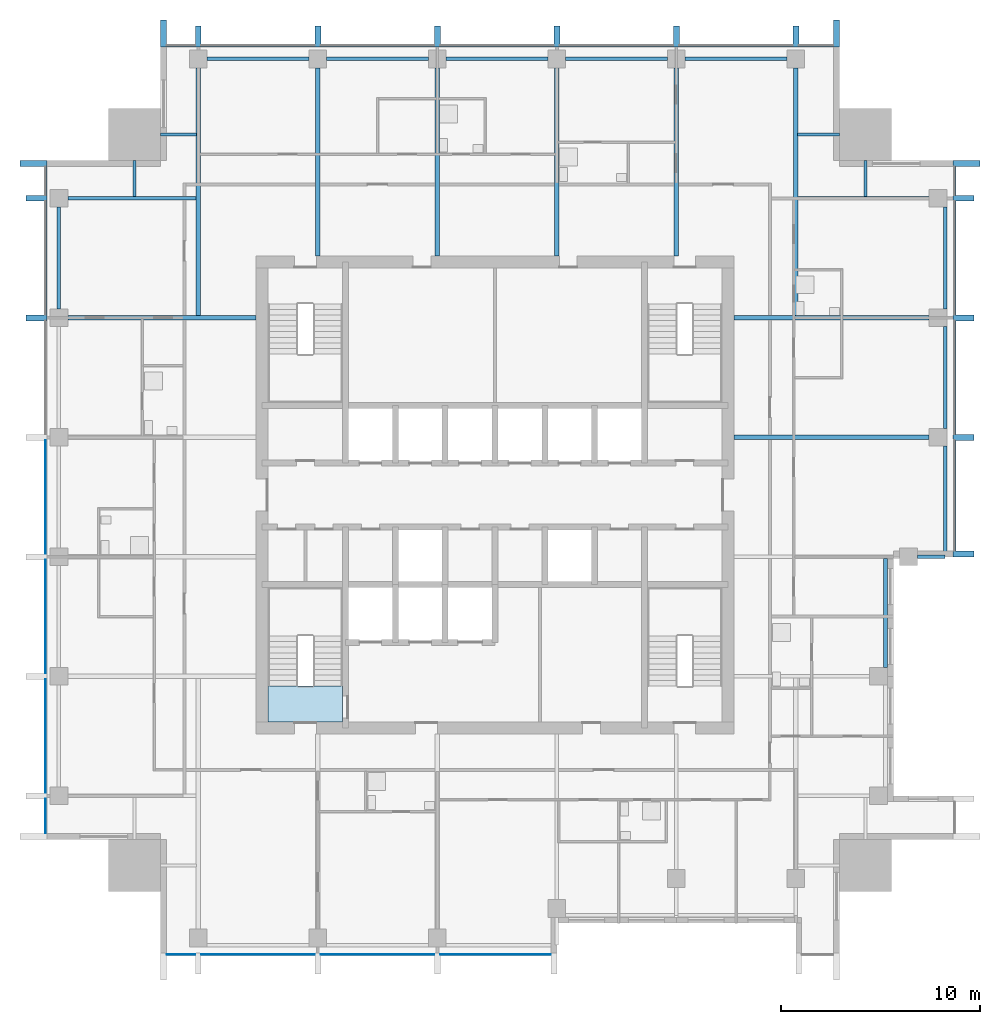
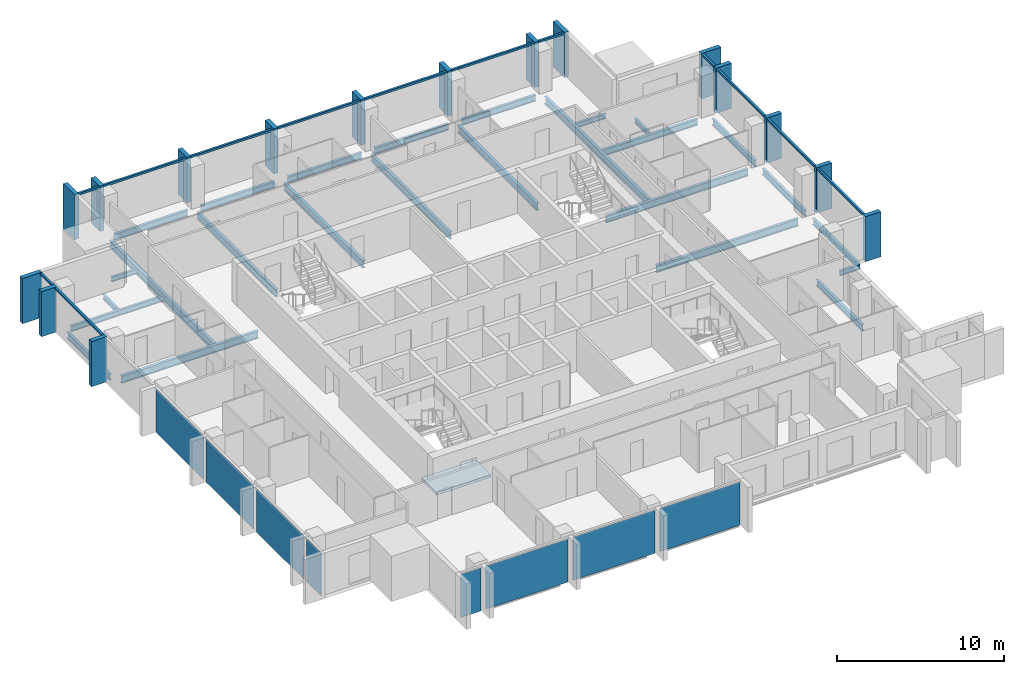
# One storey, part 2 of 10: 29 members, 26 beams, 8 plates, 1 slab, 5 elements without a shape of their own.
"""IFC4 building model written with IfcOpenShell, lengths in metres."""

from ifc_helpers import new_model, si_unit, direction, frame, origin, origin_2d, place, context, subcontext, project, spatial, polyline, rectangle, i_section, outline, extrude, material, layer, layer_set, material_profile, profile_set, type_object, element, aggregate, save


model = new_model("IFC4")

# Units and contexts
model_context = context("Model", 3, precision=1e-05, world=origin(), true_north=direction((0.0, 1.0)))
body_context = subcontext(model_context, "Body", "Model", "MODEL_VIEW")
ifc_project = project(units=[si_unit("LENGTHUNIT", "METRE"), si_unit("AREAUNIT", "SQUARE_METRE"), si_unit("VOLUMEUNIT", "CUBIC_METRE"), si_unit("PLANEANGLEUNIT", "RADIAN"), si_unit("MASSUNIT", "GRAM", prefix="KILO")], contexts=[model_context])

# Site, building, storey
site_placement = place(None, origin())
site = spatial("IfcSite", under=ifc_project, at=site_placement, CompositionType="ELEMENT")
building_placement = place(site_placement, origin())
building = spatial("IfcBuilding", under=site, at=building_placement, Name="Amberfall Residences", CompositionType="ELEMENT")
storey_placement = place(building_placement, frame((0.0, 0.0, 213.39990234375)))
storey = spatial("IfcBuildingStorey", under=building, at=storey_placement, Name="L57", CompositionType="ELEMENT", Elevation=213.39990234375)

# Curtain wall, members
ifc_material_1 = material(Name="Bronze anodised aluminium and glass", Category="aluminium")
curtain_wall_type = type_object("IfcCurtainWallType", Name="Curtain wall CW1 tower unit", PredefinedType="USERDEFINED", material=ifc_material_1)
curtain_wall_1_placement = place(storey_placement, origin())
curtain_wall_1 = element("IfcCurtainWall", 1, at=curtain_wall_1_placement, inside=storey, type_object=curtain_wall_type, Name="Curtain wall L57 E E6", ObjectType="UNITISED CURTAIN WALL", PredefinedType="USERDEFINED")
ifc_material_2 = material(Name="Bronze anodised aluminium", Category="aluminium")
ifc_material_profile_1 = material_profile(ifc_material_2, rectangle(XDim=0.14990234375, YDim=0.14990234375, at=origin_2d()), Name="CW1 transom 150 x 150 bronze")
ifc_profile_set_1 = profile_set([ifc_material_profile_1], Name="Bronze anodised aluminium")
member_type_1 = type_object("IfcMemberType", Name="CW1 transom 150 x 150 bronze", PredefinedType="USERDEFINED", material=ifc_profile_set_1)
member_1_placement = place(storey_placement, frame((97.574951171875, 42.699951171875, 2.97509765625), z_axis=(0.0, 1.0, 0.0), x_axis=(-1.0, 0.0, 0.0)))
member_1 = element("IfcMember", 2, at=member_1_placement, type_object=member_type_1, Name="CW1 transom 1.1", ObjectType="TRANSOM", PredefinedType="USERDEFINED", context=body_context, shape_type="SweptSolid", body=[
    extrude(rectangle(XDim=0.14990234375, YDim=0.14990234375, at=origin_2d()), origin(), (0.0, 0.0, 1.0), 5.550048828125),
])
member_2_placement = place(storey_placement, frame((97.574951171875, 48.550048828125, 2.97509765625), z_axis=(0.0, 1.0, 0.0), x_axis=(-1.0, 0.0, 0.0)))
member_2 = element("IfcMember", 3, at=member_2_placement, type_object=member_type_1, Name="CW1 transom 2.1", ObjectType="TRANSOM", PredefinedType="USERDEFINED", context=body_context, shape_type="SweptSolid", body=[
    extrude(rectangle(XDim=0.14990234375, YDim=0.14990234375, at=origin_2d()), origin(), (0.0, 0.0, 1.0), 5.699951171875),
])
member_3_placement = place(storey_placement, frame((97.574951171875, 54.550048828125, 2.97509765625), z_axis=(0.0, 1.0, 0.0), x_axis=(-1.0, 0.0, 0.0)))
member_3 = element("IfcMember", 4, at=member_3_placement, type_object=member_type_1, Name="CW1 transom 3.1", ObjectType="TRANSOM", PredefinedType="USERDEFINED", context=body_context, shape_type="SweptSolid", body=[
    extrude(rectangle(XDim=0.14990234375, YDim=0.14990234375, at=origin_2d()), origin(), (0.0, 0.0, 1.0), 5.699951171875),
])
member_4_placement = place(storey_placement, frame((97.574951171875, 60.550048828125, 2.97509765625), z_axis=(0.0, 1.0, 0.0), x_axis=(-1.0, 0.0, 0.0)))
member_4 = element("IfcMember", 5, at=member_4_placement, type_object=member_type_1, Name="CW1 transom 4.1", ObjectType="TRANSOM", PredefinedType="USERDEFINED", context=body_context, shape_type="SweptSolid", body=[
    extrude(rectangle(XDim=0.14990234375, YDim=0.14990234375, at=origin_2d()), origin(), (0.0, 0.0, 1.0), 1.449951171875),
])

curtain_wall_2_placement = place(storey_placement, origin())
curtain_wall_2 = element("IfcCurtainWall", 6, at=curtain_wall_2_placement, inside=storey, type_object=curtain_wall_type, Name="Curtain wall L57 N N1", ObjectType="UNITISED CURTAIN WALL", PredefinedType="USERDEFINED")
member_5_placement = place(storey_placement, frame((91.5, 68.074951171875, 2.97509765625), z_axis=(-1.0, 0.0, 0.0), x_axis=(0.0, -1.0, 0.0)))
member_5 = element("IfcMember", 7, at=member_5_placement, type_object=member_type_1, Name="CW1 transom 1.1", ObjectType="TRANSOM", PredefinedType="USERDEFINED", context=body_context, shape_type="SweptSolid", body=[
    extrude(rectangle(XDim=0.14990234375, YDim=0.14990234375, at=origin_2d()), origin(), (0.0, 0.0, 1.0), 1.75),
])
member_6_placement = place(storey_placement, frame((89.449951171875, 68.074951171875, 2.97509765625), z_axis=(-1.0, 0.0, 0.0), x_axis=(0.0, -1.0, 0.0)))
member_6 = element("IfcMember", 8, at=member_6_placement, type_object=member_type_1, Name="CW1 transom 2.1", ObjectType="TRANSOM", PredefinedType="USERDEFINED", context=body_context, shape_type="SweptSolid", body=[
    extrude(rectangle(XDim=0.14990234375, YDim=0.14990234375, at=origin_2d()), origin(), (0.0, 0.0, 1.0), 5.699951171875),
])
member_7_placement = place(storey_placement, frame((83.449951171875, 68.074951171875, 2.97509765625), z_axis=(-1.0, 0.0, 0.0), x_axis=(0.0, -1.0, 0.0)))
member_7 = element("IfcMember", 9, at=member_7_placement, type_object=member_type_1, Name="CW1 transom 3.1", ObjectType="TRANSOM", PredefinedType="USERDEFINED", context=body_context, shape_type="SweptSolid", body=[
    extrude(rectangle(XDim=0.14990234375, YDim=0.14990234375, at=origin_2d()), origin(), (0.0, 0.0, 1.0), 5.699951171875),
])
member_8_placement = place(storey_placement, frame((77.449951171875, 68.074951171875, 2.97509765625), z_axis=(-1.0, 0.0, 0.0), x_axis=(0.0, -1.0, 0.0)))
member_8 = element("IfcMember", 10, at=member_8_placement, type_object=member_type_1, Name="CW1 transom 4.1", ObjectType="TRANSOM", PredefinedType="USERDEFINED", context=body_context, shape_type="SweptSolid", body=[
    extrude(rectangle(XDim=0.14990234375, YDim=0.14990234375, at=origin_2d()), origin(), (0.0, 0.0, 1.0), 5.699951171875),
])
member_9_placement = place(storey_placement, frame((71.449951171875, 68.074951171875, 2.97509765625), z_axis=(-1.0, 0.0, 0.0), x_axis=(0.0, -1.0, 0.0)))
member_9 = element("IfcMember", 11, at=member_9_placement, type_object=member_type_1, Name="CW1 transom 5.1", ObjectType="TRANSOM", PredefinedType="USERDEFINED", context=body_context, shape_type="SweptSolid", body=[
    extrude(rectangle(XDim=0.14990234375, YDim=0.14990234375, at=origin_2d()), origin(), (0.0, 0.0, 1.0), 5.699951171875),
])
member_10_placement = place(storey_placement, frame((65.449951171875, 68.074951171875, 2.97509765625), z_axis=(-1.0, 0.0, 0.0), x_axis=(0.0, -1.0, 0.0)))
member_10 = element("IfcMember", 12, at=member_10_placement, type_object=member_type_1, Name="CW1 transom 6.1", ObjectType="TRANSOM", PredefinedType="USERDEFINED", context=body_context, shape_type="SweptSolid", body=[
    extrude(rectangle(XDim=0.14990234375, YDim=0.14990234375, at=origin_2d()), origin(), (0.0, 0.0, 1.0), 5.699951171875),
])
member_11_placement = place(storey_placement, frame((59.449951171875, 68.074951171875, 2.97509765625), z_axis=(-1.0, 0.0, 0.0), x_axis=(0.0, -1.0, 0.0)))
member_11 = element("IfcMember", 13, at=member_11_placement, type_object=member_type_1, Name="CW1 transom 7.1", ObjectType="TRANSOM", PredefinedType="USERDEFINED", context=body_context, shape_type="SweptSolid", body=[
    extrude(rectangle(XDim=0.14990234375, YDim=0.14990234375, at=origin_2d()), origin(), (0.0, 0.0, 1.0), 1.449951171875),
])

curtain_wall_3_placement = place(storey_placement, origin())
curtain_wall_3 = element("IfcCurtainWall", 14, at=curtain_wall_3_placement, inside=storey, type_object=curtain_wall_type, Name="Curtain wall L57 W W1", ObjectType="UNITISED CURTAIN WALL", PredefinedType="USERDEFINED")
member_12_placement = place(storey_placement, frame((51.925048828125, 62.0, 2.97509765625), z_axis=(0.0, -1.0, 0.0), x_axis=(1.0, 0.0, 0.0)))
member_12 = element("IfcMember", 15, at=member_12_placement, type_object=member_type_1, Name="CW1 transom 1.1", ObjectType="TRANSOM", PredefinedType="USERDEFINED", context=body_context, shape_type="SweptSolid", body=[
    extrude(rectangle(XDim=0.14990234375, YDim=0.14990234375, at=origin_2d()), origin(), (0.0, 0.0, 1.0), 1.449951171875),
])
member_13_placement = place(storey_placement, frame((51.925048828125, 60.25, 2.97509765625), z_axis=(0.0, -1.0, 0.0), x_axis=(1.0, 0.0, 0.0)))
member_13 = element("IfcMember", 16, at=member_13_placement, type_object=member_type_1, Name="CW1 transom 2.1", ObjectType="TRANSOM", PredefinedType="USERDEFINED", context=body_context, shape_type="SweptSolid", body=[
    extrude(rectangle(XDim=0.14990234375, YDim=0.14990234375, at=origin_2d()), origin(), (0.0, 0.0, 1.0), 5.699951171875),
])

# Beam
ifc_material_3 = material(Name="Steel S355", Category="steel")
ifc_material_profile_2 = material_profile(ifc_material_3, i_section(OverallWidth=0.171142578125, OverallDepth=0.351318359375, WebThickness=0.007080078125, FlangeThickness=0.009765625, FilletRadius=0.01025390625, at=origin_2d()), Name="UB 356x171x45")
ifc_profile_set_2 = profile_set([ifc_material_profile_2], Name="Steel S355")
beam_type_1 = type_object("IfcBeamType", Name="Cantilever girder UB 356x171x45", PredefinedType="BEAM", material=ifc_profile_set_2)
beam_1_placement = place(storey_placement, frame((95.699951171875, 42.39990234375, -0.425537109375), z_axis=(1.0, 0.0, 0.0), x_axis=(0.0, 1.0, 0.0)))
element("IfcBeam", 17, at=beam_1_placement, inside=storey, type_object=beam_type_1, Name="Cantilever girder B8 L57 20", PredefinedType="BEAM", context=body_context, shape_type="SweptSolid", body=[
    extrude(i_section(OverallWidth=0.171142578125, OverallDepth=0.351318359375, WebThickness=0.007080078125, FlangeThickness=0.009765625, FilletRadius=0.01025390625, at=origin_2d()), origin(), (0.0, 0.0, 1.0), 1.400146484375),
])

# Member
ifc_material_profile_3 = material_profile(ifc_material_2, rectangle(XDim=1.35009765625, YDim=0.300048828125, at=origin_2d()), Name="Corner fin 300 x 1350 bronze")
ifc_profile_set_3 = profile_set([ifc_material_profile_3], Name="Bronze anodised aluminium")
member_type_2 = type_object("IfcMemberType", Name="Corner fin 300 x 1350 bronze", PredefinedType="MULLION", material=ifc_profile_set_3)
member_14_placement = place(storey_placement, frame((98.175048828125, 62.14990234375, -0.25), z_axis=(0.0, 0.0, 1.0), x_axis=(-1.0, 0.0, 0.0)))
member_14 = element("IfcMember", 18, at=member_14_placement, type_object=member_type_2, Name="CW FIN 5", PredefinedType="MULLION", context=body_context, shape_type="SweptSolid", body=[
    extrude(rectangle(XDim=1.35009765625, YDim=0.300048828125, at=origin_2d()), origin(), (0.0, 0.0, 1.0), 3.300048828125),
])

member_15_placement = place(storey_placement, frame((91.64990234375, 68.675048828125, -0.25), z_axis=(0.0, 0.0, 1.0), x_axis=(0.0, -1.0, 0.0)))
member_15 = element("IfcMember", 19, at=member_15_placement, type_object=member_type_2, Name="CW FIN 1", PredefinedType="MULLION", context=body_context, shape_type="SweptSolid", body=[
    extrude(rectangle(XDim=1.35009765625, YDim=0.300048828125, at=origin_2d()), origin(), (0.0, 0.0, 1.0), 3.300048828125),
])

member_16_placement = place(storey_placement, frame((57.85009765625, 68.675048828125, -0.25), z_axis=(0.0, 0.0, 1.0), x_axis=(0.0, -1.0, 0.0)))
member_16 = element("IfcMember", 20, at=member_16_placement, type_object=member_type_2, Name="CW FIN 8", PredefinedType="MULLION", context=body_context, shape_type="SweptSolid", body=[
    extrude(rectangle(XDim=1.35009765625, YDim=0.300048828125, at=origin_2d()), origin(), (0.0, 0.0, 1.0), 3.300048828125),
])

member_17_placement = place(storey_placement, frame((51.324951171875, 62.14990234375, -0.25), z_axis=(0.0, 0.0, 1.0), x_axis=(1.0, 0.0, 0.0)))
member_17 = element("IfcMember", 21, at=member_17_placement, type_object=member_type_2, Name="CW FIN 1", PredefinedType="MULLION", context=body_context, shape_type="SweptSolid", body=[
    extrude(rectangle(XDim=1.35009765625, YDim=0.300048828125, at=origin_2d()), origin(), (0.0, 0.0, 1.0), 3.300048828125),
])

# Beams
ifc_material_profile_4 = material_profile(ifc_material_3, i_section(OverallWidth=0.18994140625, OverallDepth=0.453369140625, WebThickness=0.008544921875, FlangeThickness=0.0126953125, FilletRadius=0.01025390625, at=origin_2d()), Name="UB 457x191x67")
ifc_profile_set_4 = profile_set([ifc_material_profile_4], Name="Steel S355")
beam_type_2 = type_object("IfcBeamType", Name="Edge beam UB 457x191x67", PredefinedType="SPANDREL", material=ifc_profile_set_4)
for number, where, z_axis, x_axis, name in (
    (22, (94.10009765625, 36.85009765625, -0.4765625), (0.0, 1.0, 0.0), (-1.0, 0.0, 0.0), "Edge beam B1 L57 16"),
    (23, (97.10009765625, 42.47998046875, -0.4765625), (0.0, 1.0, 0.0), (-1.0, 0.0, 0.0), "Edge beam B1 L57 17"),
):
    element("IfcBeam", number, at=place(storey_placement, frame(where, z_axis=z_axis, x_axis=x_axis)), inside=storey, type_object=beam_type_2, Name=name, PredefinedType="SPANDREL", context=body_context, shape_type="SweptSolid", body=[
        extrude(i_section(OverallWidth=0.18994140625, OverallDepth=0.453369140625, WebThickness=0.008544921875, FlangeThickness=0.0126953125, FilletRadius=0.01025390625, at=origin_2d()), origin(), (0.0, 0.0, 1.0), 5.469970703125),
    ])
for number, where, z_axis, x_axis, name in (
    (24, (97.10009765625, 48.85009765625, -0.4765625), (0.0, 1.0, 0.0), (-1.0, 0.0, 0.0), "Edge beam B1 L57 18"),
    (25, (97.10009765625, 54.85009765625, -0.4765625), (0.0, 1.0, 0.0), (-1.0, 0.0, 0.0), "Edge beam B1 L57 19"),
    (26, (60.050048828125, 67.39990234375, -0.4765625), (1.0, 0.0, 0.0), (0.0, 1.0, 0.0), "Edge beam B1 L57 27"),
    (27, (66.050048828125, 67.39990234375, -0.4765625), (1.0, 0.0, 0.0), (0.0, 1.0, 0.0), "Edge beam B1 L57 28"),
    (28, (72.050048828125, 67.39990234375, -0.4765625), (1.0, 0.0, 0.0), (0.0, 1.0, 0.0), "Edge beam B1 L57 29"),
    (29, (78.050048828125, 67.39990234375, -0.4765625), (1.0, 0.0, 0.0), (0.0, 1.0, 0.0), "Edge beam B1 L57 30"),
    (30, (84.050048828125, 67.39990234375, -0.4765625), (1.0, 0.0, 0.0), (0.0, 1.0, 0.0), "Edge beam B1 L57 31"),
    (31, (52.60009765625, 54.85009765625, -0.4765625), (0.0, 1.0, 0.0), (-1.0, 0.0, 0.0), "Edge beam B1 L57 42"),
):
    element("IfcBeam", number, at=place(storey_placement, frame(where, z_axis=z_axis, x_axis=x_axis)), inside=storey, type_object=beam_type_2, Name=name, PredefinedType="SPANDREL", context=body_context, shape_type="SweptSolid", body=[
        extrude(i_section(OverallWidth=0.18994140625, OverallDepth=0.453369140625, WebThickness=0.008544921875, FlangeThickness=0.0126953125, FilletRadius=0.01025390625, at=origin_2d()), origin(), (0.0, 0.0, 1.0), 5.099853515625),
    ])

# Member
ifc_material_profile_5 = material_profile(ifc_material_2, rectangle(XDim=1.050048828125, YDim=0.300048828125, at=origin_2d()), Name="Fin 300 x 1050 bronze")
ifc_profile_set_5 = profile_set([ifc_material_profile_5], Name="Bronze anodised aluminium")
member_type_3 = type_object("IfcMemberType", Name="Fin 300 x 1050 bronze", PredefinedType="MULLION", material=ifc_profile_set_5)
member_18_placement = place(storey_placement, frame((98.02490234375, 42.550048828125, -0.25), z_axis=(0.0, 0.0, 1.0), x_axis=(-1.0, 0.0, 0.0)))
member_18 = element("IfcMember", 32, at=member_18_placement, type_object=member_type_3, Name="CW FIN 1", PredefinedType="MULLION", context=body_context, shape_type="SweptSolid", body=[
    extrude(rectangle(XDim=1.050048828125, YDim=0.300048828125, at=origin_2d()), origin(), (0.0, 0.0, 1.0), 3.300048828125),
])

member_19_placement = place(storey_placement, frame((98.02490234375, 48.39990234375, -0.25), z_axis=(0.0, 0.0, 1.0), x_axis=(-1.0, 0.0, 0.0)))
member_19 = element("IfcMember", 33, at=member_19_placement, type_object=member_type_3, Name="CW FIN 2", PredefinedType="MULLION", context=body_context, shape_type="SweptSolid", body=[
    extrude(rectangle(XDim=1.050048828125, YDim=0.300048828125, at=origin_2d()), origin(), (0.0, 0.0, 1.0), 3.300048828125),
])

member_20_placement = place(storey_placement, frame((98.02490234375, 54.39990234375, -0.25), z_axis=(0.0, 0.0, 1.0), x_axis=(-1.0, 0.0, 0.0)))
member_20 = element("IfcMember", 34, at=member_20_placement, type_object=member_type_3, Name="CW FIN 3", PredefinedType="MULLION", context=body_context, shape_type="SweptSolid", body=[
    extrude(rectangle(XDim=1.050048828125, YDim=0.300048828125, at=origin_2d()), origin(), (0.0, 0.0, 1.0), 3.300048828125),
])

member_21_placement = place(storey_placement, frame((98.02490234375, 60.39990234375, -0.25), z_axis=(0.0, 0.0, 1.0), x_axis=(-1.0, 0.0, 0.0)))
member_21 = element("IfcMember", 35, at=member_21_placement, type_object=member_type_3, Name="CW FIN 4", PredefinedType="MULLION", context=body_context, shape_type="SweptSolid", body=[
    extrude(rectangle(XDim=1.050048828125, YDim=0.300048828125, at=origin_2d()), origin(), (0.0, 0.0, 1.0), 3.300048828125),
])

aggregate(curtain_wall_1, [member_18, member_19, member_20, member_21, member_14, member_1, member_2, member_3, member_4])

member_22_placement = place(storey_placement, frame((89.60009765625, 68.52490234375, -0.25), z_axis=(0.0, 0.0, 1.0), x_axis=(0.0, -1.0, 0.0)))
member_22 = element("IfcMember", 36, at=member_22_placement, type_object=member_type_3, Name="CW FIN 2", PredefinedType="MULLION", context=body_context, shape_type="SweptSolid", body=[
    extrude(rectangle(XDim=1.050048828125, YDim=0.300048828125, at=origin_2d()), origin(), (0.0, 0.0, 1.0), 3.300048828125),
])

member_23_placement = place(storey_placement, frame((83.60009765625, 68.52490234375, -0.25), z_axis=(0.0, 0.0, 1.0), x_axis=(0.0, -1.0, 0.0)))
member_23 = element("IfcMember", 37, at=member_23_placement, type_object=member_type_3, Name="CW FIN 3", PredefinedType="MULLION", context=body_context, shape_type="SweptSolid", body=[
    extrude(rectangle(XDim=1.050048828125, YDim=0.300048828125, at=origin_2d()), origin(), (0.0, 0.0, 1.0), 3.300048828125),
])

member_24_placement = place(storey_placement, frame((77.60009765625, 68.52490234375, -0.25), z_axis=(0.0, 0.0, 1.0), x_axis=(0.0, -1.0, 0.0)))
member_24 = element("IfcMember", 38, at=member_24_placement, type_object=member_type_3, Name="CW FIN 4", PredefinedType="MULLION", context=body_context, shape_type="SweptSolid", body=[
    extrude(rectangle(XDim=1.050048828125, YDim=0.300048828125, at=origin_2d()), origin(), (0.0, 0.0, 1.0), 3.300048828125),
])

member_25_placement = place(storey_placement, frame((71.60009765625, 68.52490234375, -0.25), z_axis=(0.0, 0.0, 1.0), x_axis=(0.0, -1.0, 0.0)))
member_25 = element("IfcMember", 39, at=member_25_placement, type_object=member_type_3, Name="CW FIN 5", PredefinedType="MULLION", context=body_context, shape_type="SweptSolid", body=[
    extrude(rectangle(XDim=1.050048828125, YDim=0.300048828125, at=origin_2d()), origin(), (0.0, 0.0, 1.0), 3.300048828125),
])

member_26_placement = place(storey_placement, frame((65.60009765625, 68.52490234375, -0.25), z_axis=(0.0, 0.0, 1.0), x_axis=(0.0, -1.0, 0.0)))
member_26 = element("IfcMember", 40, at=member_26_placement, type_object=member_type_3, Name="CW FIN 6", PredefinedType="MULLION", context=body_context, shape_type="SweptSolid", body=[
    extrude(rectangle(XDim=1.050048828125, YDim=0.300048828125, at=origin_2d()), origin(), (0.0, 0.0, 1.0), 3.300048828125),
])

member_27_placement = place(storey_placement, frame((59.60009765625, 68.52490234375, -0.25), z_axis=(0.0, 0.0, 1.0), x_axis=(0.0, -1.0, 0.0)))
member_27 = element("IfcMember", 41, at=member_27_placement, type_object=member_type_3, Name="CW FIN 7", PredefinedType="MULLION", context=body_context, shape_type="SweptSolid", body=[
    extrude(rectangle(XDim=1.050048828125, YDim=0.300048828125, at=origin_2d()), origin(), (0.0, 0.0, 1.0), 3.300048828125),
])

aggregate(curtain_wall_2, [member_15, member_22, member_23, member_24, member_25, member_26, member_27, member_16, member_5, member_6, member_7, member_8, member_9, member_10, member_11])

member_28_placement = place(storey_placement, frame((51.47509765625, 60.39990234375, -0.25), z_axis=(0.0, 0.0, 1.0), x_axis=(1.0, 0.0, 0.0)))
member_28 = element("IfcMember", 42, at=member_28_placement, type_object=member_type_3, Name="CW FIN 2", PredefinedType="MULLION", context=body_context, shape_type="SweptSolid", body=[
    extrude(rectangle(XDim=1.050048828125, YDim=0.300048828125, at=origin_2d()), origin(), (0.0, 0.0, 1.0), 3.300048828125),
])

member_29_placement = place(storey_placement, frame((51.47509765625, 54.39990234375, -0.25), z_axis=(0.0, 0.0, 1.0), x_axis=(1.0, 0.0, 0.0)))
member_29 = element("IfcMember", 43, at=member_29_placement, type_object=member_type_3, Name="CW FIN 3", PredefinedType="MULLION", context=body_context, shape_type="SweptSolid", body=[
    extrude(rectangle(XDim=1.050048828125, YDim=0.300048828125, at=origin_2d()), origin(), (0.0, 0.0, 1.0), 3.300048828125),
])

# Beams
ifc_material_profile_6 = material_profile(ifc_material_3, i_section(OverallWidth=0.177734375, OverallDepth=0.402587890625, WebThickness=0.0078125, FlangeThickness=0.010986328125, FilletRadius=0.01025390625, at=origin_2d()), Name="UB 406x178x54")
ifc_profile_set_6 = profile_set([ifc_material_profile_6], Name="Steel S355")
beam_type_3 = type_object("IfcBeamType", Name="Floor girder UB 406x178x54", PredefinedType="BEAM", material=ifc_profile_set_6)
beam_2_placement = place(storey_placement, frame((53.050048828125, 60.39990234375, -0.451171875), z_axis=(1.0, 0.0, 0.0), x_axis=(0.0, 1.0, 0.0)))
element("IfcBeam", 44, at=beam_2_placement, inside=storey, type_object=beam_type_3, Name="Floor girder B4 L57 48", PredefinedType="BEAM", context=body_context, shape_type="SweptSolid", body=[
    extrude(i_section(OverallWidth=0.177734375, OverallDepth=0.402587890625, WebThickness=0.0078125, FlangeThickness=0.010986328125, FilletRadius=0.01025390625, at=origin_2d()), origin(), (0.0, 0.0, 1.0), 6.429931640625),
])
ifc_material_profile_7 = material_profile(ifc_material_3, i_section(OverallWidth=0.19140625, OverallDepth=0.4599609375, WebThickness=0.010009765625, FlangeThickness=0.01611328125, FilletRadius=0.01025390625, at=origin_2d()), Name="UB 457x191x82")
ifc_profile_set_7 = profile_set([ifc_material_profile_7], Name="Steel S355")
beam_type_4 = type_object("IfcBeamType", Name="Floor girder UB 457x191x82", PredefinedType="BEAM", material=ifc_profile_set_7)
beam_3_placement = place(storey_placement, frame((96.300048828125, 60.39990234375, -0.47998046875), z_axis=(-1.0, 0.0, 0.0), x_axis=(0.0, -1.0, 0.0)))
element("IfcBeam", 45, at=beam_3_placement, inside=storey, type_object=beam_type_4, Name="Floor girder B10 L57 26", PredefinedType="BEAM", context=body_context, shape_type="SweptSolid", body=[
    extrude(i_section(OverallWidth=0.19140625, OverallDepth=0.4599609375, WebThickness=0.010009765625, FlangeThickness=0.01611328125, FilletRadius=0.01025390625, at=origin_2d()), origin(), (0.0, 0.0, 1.0), 6.580078125),
])
ifc_material_profile_8 = material_profile(ifc_material_3, i_section(OverallWidth=0.210693359375, OverallDepth=0.53955078125, WebThickness=0.01171875, FlangeThickness=0.018798828125, FilletRadius=0.0126953125, at=origin_2d()), Name="UB 533x210x109")
ifc_profile_set_8 = profile_set([ifc_material_profile_8], Name="Steel S355")
beam_type_5 = type_object("IfcBeamType", Name="Floor girder UB 533x210x109", PredefinedType="BEAM", material=ifc_profile_set_8)
for number, where, z_axis, x_axis, name in (
    (46, (59.60009765625, 66.949951171875, -0.51953125), (0.0, -1.0, 0.0), (1.0, 0.0, 0.0), "Floor girder B2 L57 32"),
    (47, (89.60009765625, 66.949951171875, -0.51953125), (0.0, -1.0, 0.0), (1.0, 0.0, 0.0), "Floor girder B2 L57 37"),
):
    element("IfcBeam", number, at=place(storey_placement, frame(where, z_axis=z_axis, x_axis=x_axis)), inside=storey, type_object=beam_type_5, Name=name, PredefinedType="BEAM", context=body_context, shape_type="SweptSolid", body=[
        extrude(i_section(OverallWidth=0.210693359375, OverallDepth=0.53955078125, WebThickness=0.01171875, FlangeThickness=0.018798828125, FilletRadius=0.0126953125, at=origin_2d()), origin(), (0.0, 0.0, 1.0), 12.450439453125),
    ])
ifc_material_profile_9 = material_profile(ifc_material_3, i_section(OverallWidth=0.209228515625, OverallDepth=0.533203125, WebThickness=0.010009765625, FlangeThickness=0.015625, FilletRadius=0.0126953125, at=origin_2d()), Name="UB 533x210x92")
ifc_profile_set_9 = profile_set([ifc_material_profile_9], Name="Steel S355")
beam_type_6 = type_object("IfcBeamType", Name="Floor girder UB 533x210x92", PredefinedType="BEAM", material=ifc_profile_set_9)
for number, where, z_axis, x_axis, name in (
    (48, (96.300048828125, 48.39990234375, -0.516357421875), (-1.0, 0.0, 0.0), (0.0, -1.0, 0.0), "Floor girder B3 L57 24"),
    (49, (96.300048828125, 54.39990234375, -0.516357421875), (-1.0, 0.0, 0.0), (0.0, -1.0, 0.0), "Floor girder B3 L57 25"),
):
    element("IfcBeam", number, at=place(storey_placement, frame(where, z_axis=z_axis, x_axis=x_axis)), inside=storey, type_object=beam_type_6, Name=name, PredefinedType="BEAM", context=body_context, shape_type="SweptSolid", body=[
        extrude(i_section(OverallWidth=0.209228515625, OverallDepth=0.533203125, WebThickness=0.010009765625, FlangeThickness=0.015625, FilletRadius=0.0126953125, at=origin_2d()), origin(), (0.0, 0.0, 1.0), 9.800048828125),
    ])
for number, where, z_axis, x_axis, name in (
    (50, (65.60009765625, 66.949951171875, -0.516357421875), (0.0, -1.0, 0.0), (1.0, 0.0, 0.0), "Floor girder B3 L57 33"),
    (51, (71.60009765625, 66.949951171875, -0.516357421875), (0.0, -1.0, 0.0), (1.0, 0.0, 0.0), "Floor girder B3 L57 34"),
    (52, (77.60009765625, 66.949951171875, -0.516357421875), (0.0, -1.0, 0.0), (1.0, 0.0, 0.0), "Floor girder B3 L57 35"),
    (53, (83.60009765625, 66.949951171875, -0.516357421875), (0.0, -1.0, 0.0), (1.0, 0.0, 0.0), "Floor girder B3 L57 36"),
    (54, (53.050048828125, 54.39990234375, -0.516357421875), (1.0, 0.0, 0.0), (0.0, 1.0, 0.0), "Floor girder B3 L57 47"),
):
    element("IfcBeam", number, at=place(storey_placement, frame(where, z_axis=z_axis, x_axis=x_axis)), inside=storey, type_object=beam_type_6, Name=name, PredefinedType="BEAM", context=body_context, shape_type="SweptSolid", body=[
        extrude(i_section(OverallWidth=0.209228515625, OverallDepth=0.533203125, WebThickness=0.010009765625, FlangeThickness=0.015625, FilletRadius=0.0126953125, at=origin_2d()), origin(), (0.0, 0.0, 1.0), 9.449951171875),
    ])
ifc_material_profile_10 = material_profile(ifc_material_3, i_section(OverallWidth=0.171142578125, OverallDepth=0.351318359375, WebThickness=0.007080078125, FlangeThickness=0.009765625, FilletRadius=0.01025390625, at=origin_2d()), Name="UB 356x171x45")
ifc_profile_set_10 = profile_set([ifc_material_profile_10], Name="Steel S355")
beam_type_7 = type_object("IfcBeamType", Name="Link beam UB 356x171x45", PredefinedType="BEAM", material=ifc_profile_set_10)
beam_4_placement = place(storey_placement, frame((91.800048828125, 63.60009765625, -0.425537109375), z_axis=(-1.0, 0.0, 0.0), x_axis=(0.0, -1.0, 0.0)))
element("IfcBeam", 55, at=beam_4_placement, inside=storey, type_object=beam_type_7, Name="Link beam B7 L57 53", PredefinedType="BEAM", context=body_context, shape_type="SweptSolid", body=[
    extrude(i_section(OverallWidth=0.171142578125, OverallDepth=0.351318359375, WebThickness=0.007080078125, FlangeThickness=0.009765625, FilletRadius=0.01025390625, at=origin_2d()), origin(), (0.0, 0.0, 1.0), 2.104736328125),
])
beam_5_placement = place(storey_placement, frame((93.10009765625, 62.300048828125, -0.425537109375), z_axis=(0.0, -1.0, 0.0), x_axis=(1.0, 0.0, 0.0)))
element("IfcBeam", 56, at=beam_5_placement, inside=storey, type_object=beam_type_7, Name="Link beam B7 L57 54", PredefinedType="BEAM", context=body_context, shape_type="SweptSolid", body=[
    extrude(i_section(OverallWidth=0.171142578125, OverallDepth=0.351318359375, WebThickness=0.007080078125, FlangeThickness=0.009765625, FilletRadius=0.01025390625, at=origin_2d()), origin(), (0.0, 0.0, 1.0), 1.814453125),
])
beam_6_placement = place(storey_placement, frame((57.699951171875, 63.60009765625, -0.425537109375), z_axis=(1.0, 0.0, 0.0), x_axis=(0.0, 1.0, 0.0)))
element("IfcBeam", 57, at=beam_6_placement, inside=storey, type_object=beam_type_7, Name="Link beam B7 L57 55", PredefinedType="BEAM", context=body_context, shape_type="SweptSolid", body=[
    extrude(i_section(OverallWidth=0.171142578125, OverallDepth=0.351318359375, WebThickness=0.007080078125, FlangeThickness=0.009765625, FilletRadius=0.01025390625, at=origin_2d()), origin(), (0.0, 0.0, 1.0), 1.8046875),
])
beam_7_placement = place(storey_placement, frame((56.39990234375, 62.300048828125, -0.425537109375), z_axis=(0.0, -1.0, 0.0), x_axis=(1.0, 0.0, 0.0)))
element("IfcBeam", 58, at=beam_7_placement, inside=storey, type_object=beam_type_7, Name="Link beam B7 L57 56", PredefinedType="BEAM", context=body_context, shape_type="SweptSolid", body=[
    extrude(i_section(OverallWidth=0.171142578125, OverallDepth=0.351318359375, WebThickness=0.007080078125, FlangeThickness=0.009765625, FilletRadius=0.01025390625, at=origin_2d()), origin(), (0.0, 0.0, 1.0), 1.821044921875),
])

# Curtain wall, plates
curtain_wall_4_placement = place(storey_placement, origin())
curtain_wall_4 = element("IfcCurtainWall", 59, at=curtain_wall_4_placement, inside=storey, type_object=curtain_wall_type, Name="Curtain wall L57 S S1", ObjectType="UNITISED CURTAIN WALL", PredefinedType="USERDEFINED")
ifc_material_4 = material(Name="Tinted double glazed unit", Category="glass")
ifc_layer_1 = layer(ifc_material_4, 0.035888671875)
ifc_layer_set_1 = layer_set([ifc_layer_1], Name="CW1 panel 36 glazing")
plate_type = type_object("IfcPlateType", Name="CW1 panel 36 glazing", PredefinedType="CURTAIN_PANEL", material=ifc_layer_set_1)
plate_1_placement = place(storey_placement, frame((58.72509765625, 22.425048828125, -0.249755859375), z_axis=(0.0, 0.0, 1.0), x_axis=(1.0, 0.0, 0.0)))
plate_1 = element("IfcPlate", 60, at=plate_1_placement, type_object=plate_type, Name="CW1 panel 1.1", PredefinedType="CURTAIN_PANEL", context=body_context, shape_type="SweptSolid", body=[
    extrude(rectangle(XDim=1.426025390625, YDim=0.035888671875, at=origin_2d()), origin(), (0.0, 0.0, 1.0), 3.14990234375),
])
plate_2_placement = place(storey_placement, frame((62.60009765625, 22.425048828125, -0.249755859375), z_axis=(0.0, 0.0, 1.0), x_axis=(1.0, 0.0, 0.0)))
plate_2 = element("IfcPlate", 61, at=plate_2_placement, type_object=plate_type, Name="CW1 panel 2.1", PredefinedType="CURTAIN_PANEL", context=body_context, shape_type="SweptSolid", body=[
    extrude(rectangle(XDim=5.676025390625, YDim=0.035888671875, at=origin_2d()), origin(), (0.0, 0.0, 1.0), 3.14990234375),
])
plate_3_placement = place(storey_placement, frame((68.60009765625, 22.425048828125, -0.249755859375), z_axis=(0.0, 0.0, 1.0), x_axis=(1.0, 0.0, 0.0)))
plate_3 = element("IfcPlate", 62, at=plate_3_placement, type_object=plate_type, Name="CW1 panel 3.1", PredefinedType="CURTAIN_PANEL", context=body_context, shape_type="SweptSolid", body=[
    extrude(rectangle(XDim=5.676025390625, YDim=0.035888671875, at=origin_2d()), origin(), (0.0, 0.0, 1.0), 3.14990234375),
])
plate_4_placement = place(storey_placement, frame((74.52490234375, 22.425048828125, -0.249755859375), z_axis=(0.0, 0.0, 1.0), x_axis=(1.0, 0.0, 0.0)))
plate_4 = element("IfcPlate", 63, at=plate_4_placement, type_object=plate_type, Name="CW1 panel 4.1", PredefinedType="CURTAIN_PANEL", context=body_context, shape_type="SweptSolid", body=[
    extrude(rectangle(XDim=5.52587890625, YDim=0.035888671875, at=origin_2d()), origin(), (0.0, 0.0, 1.0), 3.14990234375),
])
aggregate(curtain_wall_4, [plate_1, plate_2, plate_3, plate_4])

# Plate
plate_5_placement = place(storey_placement, frame((51.925048828125, 45.39990234375, -0.249755859375), z_axis=(0.0, 0.0, 1.0), x_axis=(0.0, -1.0, 0.0)))
plate_5 = element("IfcPlate", 64, at=plate_5_placement, type_object=plate_type, Name="CW1 panel 4.1", PredefinedType="CURTAIN_PANEL", context=body_context, shape_type="SweptSolid", body=[
    extrude(rectangle(XDim=5.676025390625, YDim=0.035888671875, at=origin_2d()), origin(), (0.0, 0.0, 1.0), 3.14990234375),
])

plate_6_placement = place(storey_placement, frame((51.925048828125, 39.39990234375, -0.249755859375), z_axis=(0.0, 0.0, 1.0), x_axis=(0.0, -1.0, 0.0)))
plate_6 = element("IfcPlate", 65, at=plate_6_placement, type_object=plate_type, Name="CW1 panel 5.1", PredefinedType="CURTAIN_PANEL", context=body_context, shape_type="SweptSolid", body=[
    extrude(rectangle(XDim=5.676025390625, YDim=0.035888671875, at=origin_2d()), origin(), (0.0, 0.0, 1.0), 3.14990234375),
])

plate_7_placement = place(storey_placement, frame((51.925048828125, 33.39990234375, -0.249755859375), z_axis=(0.0, 0.0, 1.0), x_axis=(0.0, -1.0, 0.0)))
plate_7 = element("IfcPlate", 66, at=plate_7_placement, type_object=plate_type, Name="CW1 panel 6.1", PredefinedType="CURTAIN_PANEL", context=body_context, shape_type="SweptSolid", body=[
    extrude(rectangle(XDim=5.676025390625, YDim=0.035888671875, at=origin_2d()), origin(), (0.0, 0.0, 1.0), 3.14990234375),
])

plate_8_placement = place(storey_placement, frame((51.925048828125, 29.375, -0.249755859375), z_axis=(0.0, 0.0, 1.0), x_axis=(0.0, -1.0, 0.0)))
plate_8 = element("IfcPlate", 67, at=plate_8_placement, type_object=plate_type, Name="CW1 panel 7.1", PredefinedType="CURTAIN_PANEL", context=body_context, shape_type="SweptSolid", body=[
    extrude(rectangle(XDim=1.72607421875, YDim=0.035888671875, at=origin_2d()), origin(), (0.0, 0.0, 1.0), 3.14990234375),
])

aggregate(curtain_wall_3, [member_17, member_28, member_29, member_12, member_13, plate_5, plate_6, plate_7, plate_8])

# Stair, slab
ifc_material_5 = material(Name="Concrete C40", Category="concrete")
stair_type = type_object("IfcStairType", Name="Exit stair 20 risers 165.0 mm", PredefinedType="HALF_TURN_STAIR", material=ifc_material_5)
stair_placement = place(storey_placement, origin())
stair = element("IfcStair", 68, at=stair_placement, inside=storey, type_object=stair_type, Name="L57 Exit stair 1", PredefinedType="HALF_TURN_STAIR")
ifc_layer_2 = layer(ifc_material_5, 0.199951171875)
ifc_layer_set_2 = layer_set([ifc_layer_2], Name="Stair landing 200")
slab_type = type_object("IfcSlabType", Name="Stair landing 200", PredefinedType="LANDING", material=ifc_layer_set_2)
slab_placement = place(storey_placement, frame((0.0, 0.0, -0.199951171875)))
slab = element("IfcSlab", 69, at=slab_placement, type_object=slab_type, Name="ST3 landing 2", PredefinedType="LANDING", context=body_context, shape_type="SweptSolid", body=[
    extrude(outline(polyline([(66.85009765625, 34.10009765625), (66.85009765625, 35.89990234375), (63.10009765625, 35.89990234375), (63.10009765625, 34.10009765625), (66.85009765625, 34.10009765625)])), origin(), (0.0, 0.0, 1.0), 0.199951171875),
])
aggregate(stair, [slab])

save(model, "model.ifc")
